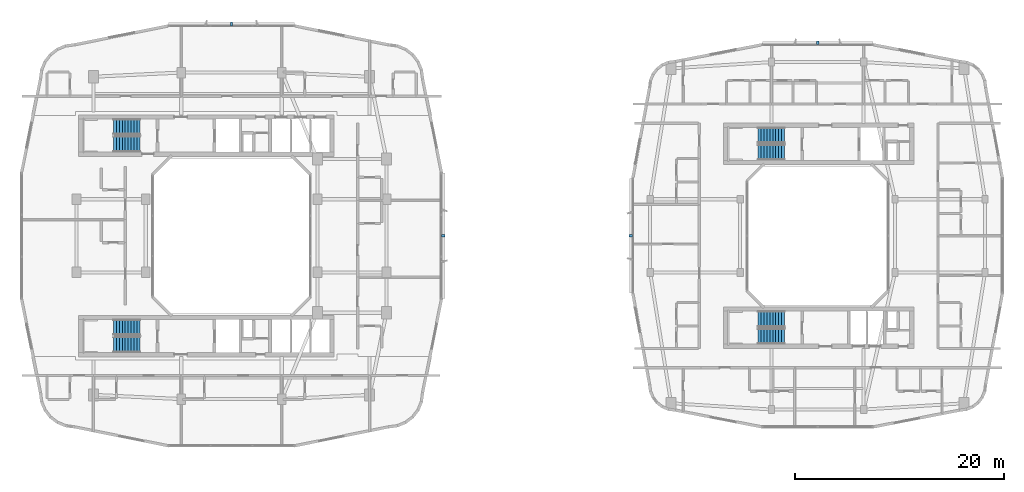
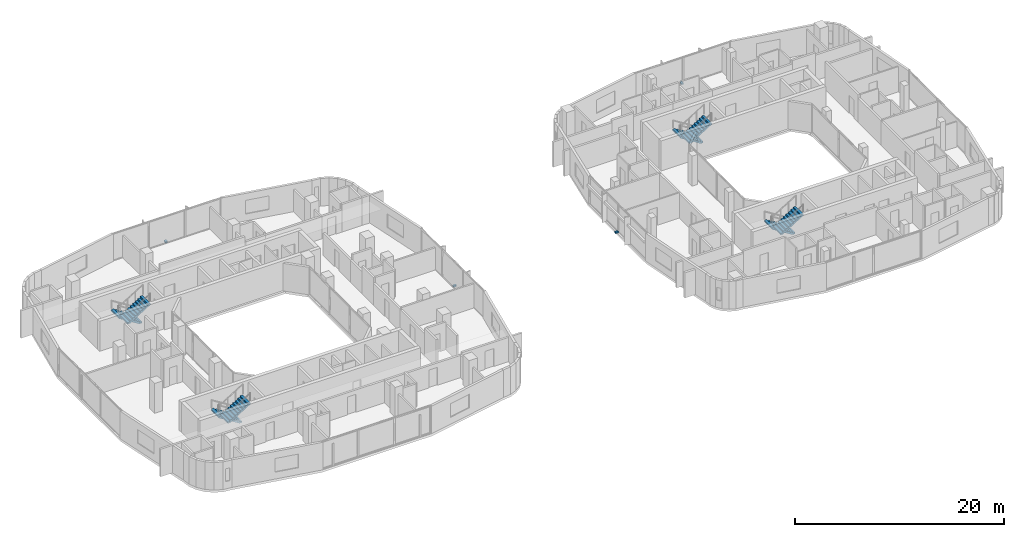
# One storey, part 21 of 26: 8 stair flights, 4 discrete accessories, 4 elements without a shape of their own.
"""IFC4 building model written with IfcOpenShell, lengths in metres."""

from ifc_helpers import new_model, si_unit, derived_unit, direction, frame, origin, origin_2d, place, context, subcontext, project, spatial, polyline, rectangle, outline, extrude, material, type_object, element, aggregate, save


model = new_model("IFC4")

# Units and contexts
model_context = context("Model", 3, precision=1e-05, world=origin(), true_north=direction((0.0, 1.0)))
body_context = subcontext(model_context, "Body", "Model", "MODEL_VIEW")
ifc_project = project(units=[si_unit("LENGTHUNIT", "METRE"), si_unit("AREAUNIT", "SQUARE_METRE"), si_unit("VOLUMEUNIT", "CUBIC_METRE"), si_unit("PLANEANGLEUNIT", "RADIAN"), si_unit("MASSUNIT", "GRAM", prefix="KILO"), derived_unit("THERMALTRANSMITTANCEUNIT", [(si_unit("POWERUNIT", "WATT"), 1), (si_unit("LENGTHUNIT", "METRE"), -2), (si_unit("THERMODYNAMICTEMPERATUREUNIT", "KELVIN"), -1)])], contexts=[model_context])

# Site, building, storey
site_placement = place(None, origin())
site = spatial("IfcSite", under=ifc_project, at=site_placement, CompositionType="ELEMENT")
building_placement = place(site_placement, origin())
building = spatial("IfcBuilding", under=site, at=building_placement, Name="Kivonza Crest Hotel", CompositionType="ELEMENT")
storey_placement = place(building_placement, frame((0.0, 0.0, 105.5)))
storey = spatial("IfcBuildingStorey", under=building, at=storey_placement, Name="L28", CompositionType="ELEMENT", Elevation=105.5)

# Stair, stair flights
ifc_material_1 = material(Name="Concrete C40/50", Category="concrete")
stair_type = type_object("IfcStairType", Name="ST-DL-20R", PredefinedType="HALF_TURN_STAIR", material=ifc_material_1)
stair_1_placement = place(storey_placement, origin())
stair_1 = element("IfcStair", 1, at=stair_1_placement, inside=storey, type_object=stair_type, Name="L28 Protected Exit Stair ST-T1-N", PredefinedType="HALF_TURN_STAIR")
stair_flight_type = type_object("IfcStairFlightType", Name="SFL-RC-10R", PredefinedType="STRAIGHT", material=ifc_material_1)
stair_flight_1_placement = place(storey_placement, frame((12.239990234375, 35.409912109375, 0.0), z_axis=(0.0, 0.0, 1.0), x_axis=(-1.0, 0.0, 0.0)))
stair_flight_1 = element("IfcStairFlight", 2, at=stair_flight_1_placement, type_object=stair_flight_type, Name="ST-T1-N flight 1", NumberOfRisers=10, NumberOfTreads=9, PredefinedType="STRAIGHT", RiserHeight=0.175, TreadLength=0.28, context=body_context, shape_type="SweptSolid", body=[
    extrude(outline(polyline([(0.0, 0.0), (0.0, 0.175048828125), (0.280029296875, 0.175048828125), (0.280029296875, 0.35009765625), (0.56005859375, 0.35009765625), (0.56005859375, 0.52490234375), (0.840087890625, 0.52490234375), (0.840087890625, 0.699951171875), (1.1201171875, 0.699951171875), (1.1201171875, 0.875), (1.39990234375, 0.875), (1.39990234375, 1.050048828125), (1.679931640625, 1.050048828125), (1.679931640625, 1.22509765625), (1.9599609375, 1.22509765625), (1.9599609375, 1.39990234375), (2.239990234375, 1.39990234375), (2.239990234375, 1.574951171875), (2.52001953125, 1.574951171875), (2.52001953125, 1.75), (2.52001953125, 1.398193359375), (0.28271484375, 0.0), (0.0, 0.0)])), frame((0.0, 0.75, 0.0), z_axis=(0.0, -1.0, 0.0), x_axis=(1.0, 0.0, 0.0)), (0.0, 0.0, 1.0), 1.5),
])
stair_flight_2_placement = place(storey_placement, frame((9.719970703125, 33.77001953125, 1.75), z_axis=(0.0, 0.0, 1.0), x_axis=(1.0, 0.0, 0.0)))
stair_flight_2 = element("IfcStairFlight", 3, at=stair_flight_2_placement, type_object=stair_flight_type, Name="ST-T1-N flight 2", NumberOfRisers=10, NumberOfTreads=9, PredefinedType="STRAIGHT", RiserHeight=0.175, TreadLength=0.28, context=body_context, shape_type="SweptSolid", body=[
    extrude(outline(polyline([(0.0, 0.0), (0.0, 0.175048828125), (0.280029296875, 0.175048828125), (0.280029296875, 0.35009765625), (0.56005859375, 0.35009765625), (0.56005859375, 0.52490234375), (0.840087890625, 0.52490234375), (0.840087890625, 0.699951171875), (1.1201171875, 0.699951171875), (1.1201171875, 0.875), (1.39990234375, 0.875), (1.39990234375, 1.050048828125), (1.679931640625, 1.050048828125), (1.679931640625, 1.22509765625), (1.9599609375, 1.22509765625), (1.9599609375, 1.39990234375), (2.239990234375, 1.39990234375), (2.239990234375, 1.574951171875), (2.52001953125, 1.574951171875), (2.52001953125, 1.75), (2.52001953125, 1.398193359375), (0.28271484375, 0.0), (0.0, 0.0)])), frame((0.0, 0.75, 0.0), z_axis=(0.0, -1.0, 0.0), x_axis=(1.0, 0.0, 0.0)), (0.0, 0.0, 1.0), 1.5),
])
aggregate(stair_1, [stair_flight_1, stair_flight_2])

stair_2_placement = place(storey_placement, origin())
stair_2 = element("IfcStair", 4, at=stair_2_placement, inside=storey, type_object=stair_type, Name="L28 Protected Exit Stair ST-T1-S", PredefinedType="HALF_TURN_STAIR")
stair_flight_3_placement = place(storey_placement, frame((12.239990234375, 16.25, 0.0), z_axis=(0.0, 0.0, 1.0), x_axis=(-1.0, 0.0, 0.0)))
stair_flight_3 = element("IfcStairFlight", 5, at=stair_flight_3_placement, type_object=stair_flight_type, Name="ST-T1-S flight 1", NumberOfRisers=10, NumberOfTreads=9, PredefinedType="STRAIGHT", RiserHeight=0.175, TreadLength=0.28, context=body_context, shape_type="SweptSolid", body=[
    extrude(outline(polyline([(0.0, 0.0), (0.0, 0.175048828125), (0.280029296875, 0.175048828125), (0.280029296875, 0.35009765625), (0.56005859375, 0.35009765625), (0.56005859375, 0.52490234375), (0.840087890625, 0.52490234375), (0.840087890625, 0.699951171875), (1.1201171875, 0.699951171875), (1.1201171875, 0.875), (1.39990234375, 0.875), (1.39990234375, 1.050048828125), (1.679931640625, 1.050048828125), (1.679931640625, 1.22509765625), (1.9599609375, 1.22509765625), (1.9599609375, 1.39990234375), (2.239990234375, 1.39990234375), (2.239990234375, 1.574951171875), (2.52001953125, 1.574951171875), (2.52001953125, 1.75), (2.52001953125, 1.398193359375), (0.28271484375, 0.0), (0.0, 0.0)])), frame((0.0, 0.75, 0.0), z_axis=(0.0, -1.0, 0.0), x_axis=(1.0, 0.0, 0.0)), (0.0, 0.0, 1.0), 1.5),
])
stair_flight_4_placement = place(storey_placement, frame((9.719970703125, 14.610107421875, 1.75), z_axis=(0.0, 0.0, 1.0), x_axis=(1.0, 0.0, 0.0)))
stair_flight_4 = element("IfcStairFlight", 6, at=stair_flight_4_placement, type_object=stair_flight_type, Name="ST-T1-S flight 2", NumberOfRisers=10, NumberOfTreads=9, PredefinedType="STRAIGHT", RiserHeight=0.175, TreadLength=0.28, context=body_context, shape_type="SweptSolid", body=[
    extrude(outline(polyline([(0.0, 0.0), (0.0, 0.175048828125), (0.280029296875, 0.175048828125), (0.280029296875, 0.35009765625), (0.56005859375, 0.35009765625), (0.56005859375, 0.52490234375), (0.840087890625, 0.52490234375), (0.840087890625, 0.699951171875), (1.1201171875, 0.699951171875), (1.1201171875, 0.875), (1.39990234375, 0.875), (1.39990234375, 1.050048828125), (1.679931640625, 1.050048828125), (1.679931640625, 1.22509765625), (1.9599609375, 1.22509765625), (1.9599609375, 1.39990234375), (2.239990234375, 1.39990234375), (2.239990234375, 1.574951171875), (2.52001953125, 1.574951171875), (2.52001953125, 1.75), (2.52001953125, 1.398193359375), (0.28271484375, 0.0), (0.0, 0.0)])), frame((0.0, 0.75, 0.0), z_axis=(0.0, -1.0, 0.0), x_axis=(1.0, 0.0, 0.0)), (0.0, 0.0, 1.0), 1.5),
])
aggregate(stair_2, [stair_flight_3, stair_flight_4])

stair_3_placement = place(storey_placement, origin())
stair_3 = element("IfcStair", 7, at=stair_3_placement, inside=storey, type_object=stair_type, Name="L28 Protected Exit Stair ST-T2-N", PredefinedType="HALF_TURN_STAIR")
stair_flight_5_placement = place(storey_placement, frame((73.840087890625, 34.610107421875, 0.0), z_axis=(0.0, 0.0, 1.0), x_axis=(-1.0, 0.0, 0.0)))
stair_flight_5 = element("IfcStairFlight", 8, at=stair_flight_5_placement, type_object=stair_flight_type, Name="ST-T2-N flight 1", NumberOfRisers=10, NumberOfTreads=9, PredefinedType="STRAIGHT", RiserHeight=0.175, TreadLength=0.28, context=body_context, shape_type="SweptSolid", body=[
    extrude(outline(polyline([(0.0, 0.0), (0.0, 0.175048828125), (0.280029296875, 0.175048828125), (0.280029296875, 0.35009765625), (0.56005859375, 0.35009765625), (0.56005859375, 0.52490234375), (0.840087890625, 0.52490234375), (0.840087890625, 0.699951171875), (1.1201171875, 0.699951171875), (1.1201171875, 0.875), (1.39990234375, 0.875), (1.39990234375, 1.050048828125), (1.679931640625, 1.050048828125), (1.679931640625, 1.22509765625), (1.9599609375, 1.22509765625), (1.9599609375, 1.39990234375), (2.239990234375, 1.39990234375), (2.239990234375, 1.574951171875), (2.52001953125, 1.574951171875), (2.52001953125, 1.75), (2.52001953125, 1.398193359375), (0.28271484375, 0.0), (0.0, 0.0)])), frame((0.0, 0.75, 0.0), z_axis=(0.0, -1.0, 0.0), x_axis=(1.0, 0.0, 0.0)), (0.0, 0.0, 1.0), 1.5),
])
stair_flight_6_placement = place(storey_placement, frame((71.320068359375, 32.969970703125, 1.75), z_axis=(0.0, 0.0, 1.0), x_axis=(1.0, 0.0, 0.0)))
stair_flight_6 = element("IfcStairFlight", 9, at=stair_flight_6_placement, type_object=stair_flight_type, Name="ST-T2-N flight 2", NumberOfRisers=10, NumberOfTreads=9, PredefinedType="STRAIGHT", RiserHeight=0.175, TreadLength=0.28, context=body_context, shape_type="SweptSolid", body=[
    extrude(outline(polyline([(0.0, 0.0), (0.0, 0.175048828125), (0.280029296875, 0.175048828125), (0.280029296875, 0.35009765625), (0.56005859375, 0.35009765625), (0.56005859375, 0.52490234375), (0.840087890625, 0.52490234375), (0.840087890625, 0.699951171875), (1.1201171875, 0.699951171875), (1.1201171875, 0.875), (1.39990234375, 0.875), (1.39990234375, 1.050048828125), (1.679931640625, 1.050048828125), (1.679931640625, 1.22509765625), (1.9599609375, 1.22509765625), (1.9599609375, 1.39990234375), (2.239990234375, 1.39990234375), (2.239990234375, 1.574951171875), (2.52001953125, 1.574951171875), (2.52001953125, 1.75), (2.52001953125, 1.398193359375), (0.28271484375, 0.0), (0.0, 0.0)])), frame((0.0, 0.75, 0.0), z_axis=(0.0, -1.0, 0.0), x_axis=(1.0, 0.0, 0.0)), (0.0, 0.0, 1.0), 1.5),
])
aggregate(stair_3, [stair_flight_5, stair_flight_6])

stair_4_placement = place(storey_placement, origin())
stair_4 = element("IfcStair", 10, at=stair_4_placement, inside=storey, type_object=stair_type, Name="L28 Protected Exit Stair ST-T2-S", PredefinedType="HALF_TURN_STAIR")
stair_flight_7_placement = place(storey_placement, frame((73.840087890625, 17.050048828125, 0.0), z_axis=(0.0, 0.0, 1.0), x_axis=(-1.0, 0.0, 0.0)))
stair_flight_7 = element("IfcStairFlight", 11, at=stair_flight_7_placement, type_object=stair_flight_type, Name="ST-T2-S flight 1", NumberOfRisers=10, NumberOfTreads=9, PredefinedType="STRAIGHT", RiserHeight=0.175, TreadLength=0.28, context=body_context, shape_type="SweptSolid", body=[
    extrude(outline(polyline([(0.0, 0.0), (0.0, 0.175048828125), (0.280029296875, 0.175048828125), (0.280029296875, 0.35009765625), (0.56005859375, 0.35009765625), (0.56005859375, 0.52490234375), (0.840087890625, 0.52490234375), (0.840087890625, 0.699951171875), (1.1201171875, 0.699951171875), (1.1201171875, 0.875), (1.39990234375, 0.875), (1.39990234375, 1.050048828125), (1.679931640625, 1.050048828125), (1.679931640625, 1.22509765625), (1.9599609375, 1.22509765625), (1.9599609375, 1.39990234375), (2.239990234375, 1.39990234375), (2.239990234375, 1.574951171875), (2.52001953125, 1.574951171875), (2.52001953125, 1.75), (2.52001953125, 1.398193359375), (0.28271484375, 0.0), (0.0, 0.0)])), frame((0.0, 0.75, 0.0), z_axis=(0.0, -1.0, 0.0), x_axis=(1.0, 0.0, 0.0)), (0.0, 0.0, 1.0), 1.5),
])
stair_flight_8_placement = place(storey_placement, frame((71.320068359375, 15.409912109375, 1.75), z_axis=(0.0, 0.0, 1.0), x_axis=(1.0, 0.0, 0.0)))
stair_flight_8 = element("IfcStairFlight", 12, at=stair_flight_8_placement, type_object=stair_flight_type, Name="ST-T2-S flight 2", NumberOfRisers=10, NumberOfTreads=9, PredefinedType="STRAIGHT", RiserHeight=0.175, TreadLength=0.28, context=body_context, shape_type="SweptSolid", body=[
    extrude(outline(polyline([(0.0, 0.0), (0.0, 0.175048828125), (0.280029296875, 0.175048828125), (0.280029296875, 0.35009765625), (0.56005859375, 0.35009765625), (0.56005859375, 0.52490234375), (0.840087890625, 0.52490234375), (0.840087890625, 0.699951171875), (1.1201171875, 0.699951171875), (1.1201171875, 0.875), (1.39990234375, 0.875), (1.39990234375, 1.050048828125), (1.679931640625, 1.050048828125), (1.679931640625, 1.22509765625), (1.9599609375, 1.22509765625), (1.9599609375, 1.39990234375), (2.239990234375, 1.39990234375), (2.239990234375, 1.574951171875), (2.52001953125, 1.574951171875), (2.52001953125, 1.75), (2.52001953125, 1.398193359375), (0.28271484375, 0.0), (0.0, 0.0)])), frame((0.0, 0.75, 0.0), z_axis=(0.0, -1.0, 0.0), x_axis=(1.0, 0.0, 0.0)), (0.0, 0.0, 1.0), 1.5),
])
aggregate(stair_4, [stair_flight_7, stair_flight_8])

# Discrete accessories
ifc_material_2 = material(Name="Stainless steel 316", Category="steel")
discrete_accessory_type = type_object("IfcDiscreteAccessoryType", Name="AC-BRACKET-240", PredefinedType="BRACKET", material=ifc_material_2)
for number, where, z_axis, x_axis, name in (
    (13, (41.239990234375, 25.0, -0.009765625), (0.0, 0.0, 1.0), (0.0, 1.0, 0.0), "L28 terracotta baguette support bracket CW-T1-L28-17"),
    (14, (21.0, 45.239990234375, -0.009765625), (0.0, 0.0, 1.0), (-1.0, 0.0, 0.0), "L28 terracotta baguette support bracket CW-T1-L28-26"),
    (15, (77.0, 43.43994140625, -0.009765625), (0.0, 0.0, 1.0), (-1.0, 0.0, 0.0), "L28 terracotta baguette support bracket CW-T2-L28-26"),
    (16, (59.159912109375, 25.0, -0.009765625), (0.0, 0.0, 1.0), (0.0, -1.0, 0.0), "L28 terracotta baguette support bracket CW-T2-L28-35"),
):
    element("IfcDiscreteAccessory", number, at=place(storey_placement, frame(where, z_axis=z_axis, x_axis=x_axis)), inside=storey, type_object=discrete_accessory_type, Name=name, PredefinedType="BRACKET", context=body_context, shape_type="SweptSolid", body=[
        extrude(rectangle(XDim=0.219970703125, YDim=0.340087890625, at=origin_2d()), origin(), (0.0, 0.0, 1.0), 0.179931640625),
    ])

save(model, "model.ifc")
